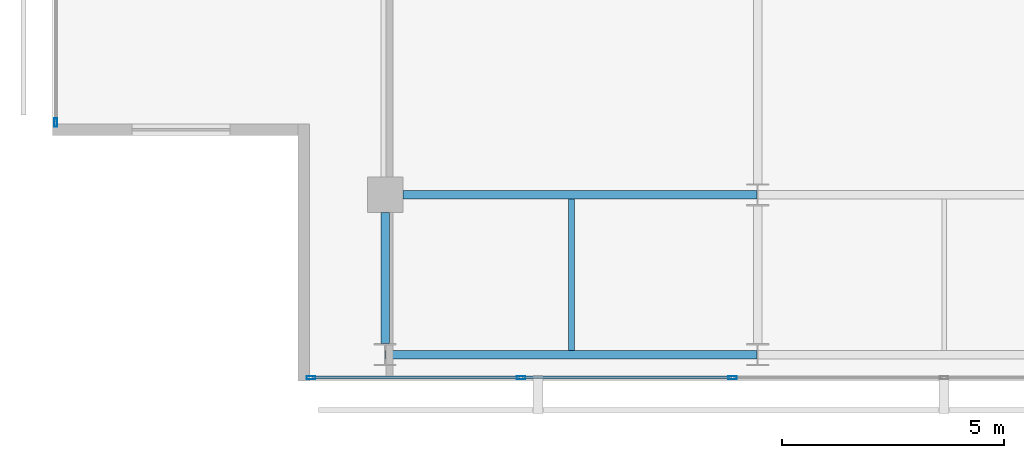
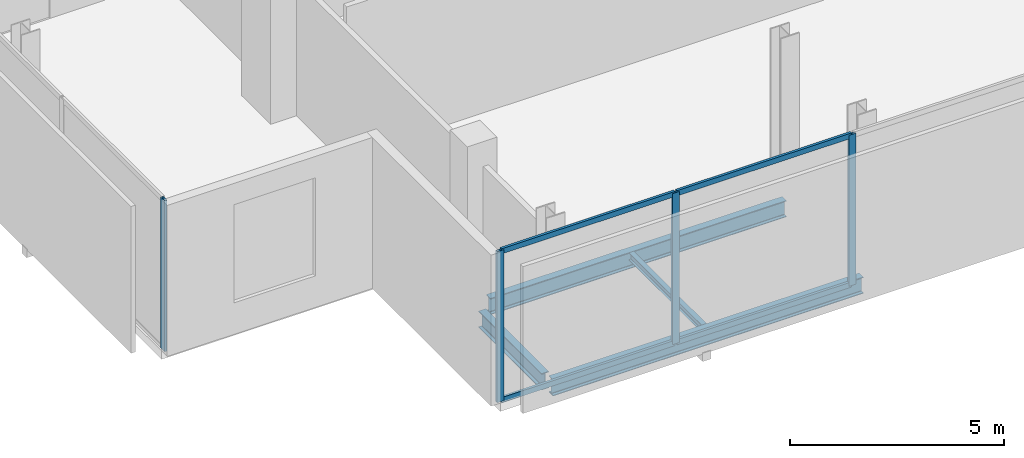
# One storey, part 2 of 23: 8 members, 4 beams, 2 elements without a shape of their own.
"""IFC4 building model written with IfcOpenShell, lengths in metres."""

from ifc_helpers import new_model, si_unit, direction, frame, origin, origin_2d, place, context, subcontext, project, spatial, hollow_rectangle, i_section, extrude, material, layer, layer_set, material_profile, profile_set, type_object, element, aggregate, save


model = new_model("IFC4")

# Units and contexts
model_context = context("Model", 3, precision=1e-05, world=origin(), true_north=direction((0.0, 1.0)))
body_context = subcontext(model_context, "Body", "Model", "MODEL_VIEW")
ifc_project = project(units=[si_unit("LENGTHUNIT", "METRE"), si_unit("AREAUNIT", "SQUARE_METRE"), si_unit("VOLUMEUNIT", "CUBIC_METRE"), si_unit("PLANEANGLEUNIT", "RADIAN"), si_unit("MASSUNIT", "GRAM", prefix="KILO")], contexts=[model_context])

# Site, building, storey
site_placement = place(None, origin())
site = spatial("IfcSite", under=ifc_project, at=site_placement, CompositionType="ELEMENT")
building_placement = place(site_placement, origin())
building = spatial("IfcBuilding", under=site, at=building_placement, Name="Maruvema Waterfront Hotel and Observation Tower", CompositionType="ELEMENT")
storey_placement = place(building_placement, frame((0.0, 0.0, 345.10009765625)))
storey = spatial("IfcBuildingStorey", under=building, at=storey_placement, Name="L85", CompositionType="ELEMENT", Elevation=345.10009765625)

# Curtain wall, members
ifc_material_1 = material(Name="Anodised bronze aluminium and solar-control low-E IGU", Category="aluminium")
ifc_layer = layer(ifc_material_1, 0.159912109375, Name="Observation Crown Structural Glazed Curtain Wall System CW-06")
ifc_layer_set = layer_set([ifc_layer], Name="Anodised bronze aluminium and solar-control low-E IGU")
curtain_wall_type = type_object("IfcCurtainWallType", Name="Observation Crown Structural Glazed Curtain Wall System CW-06", PredefinedType="USERDEFINED", material=ifc_layer_set)
curtain_wall_1_placement = place(storey_placement, origin())
curtain_wall_1 = element("IfcCurtainWall", 1, at=curtain_wall_1_placement, inside=storey, type_object=curtain_wall_type, Name="L85 Curtain Wall CW-L85-S", ObjectType="UNITISED CURTAIN WALL", PredefinedType="USERDEFINED")
ifc_material_2 = material(Name="Anodised architectural bronze aluminium", Category="aluminium")
ifc_material_profile_1 = material_profile(ifc_material_2, hollow_rectangle(XDim=0.070068359375, YDim=0.14990234375, WallThickness=0.00390625, at=origin_2d()), Name="ALU-T70x150")
ifc_profile_set_1 = profile_set([ifc_material_profile_1], Name="Anodised architectural bronze aluminium")
member_type_1 = type_object("IfcMemberType", Name="Curtain Wall Horizontal Transom ALU-T70x150", PredefinedType="USERDEFINED", material=ifc_profile_set_1)
member_1_placement = place(storey_placement, frame((23.56005859375, 13.8798828125, 0.02978515625), z_axis=(1.0, 0.0, 0.0), x_axis=(0.0, 1.0, 0.0)))
member_1 = element("IfcMember", 2, at=member_1_placement, type_object=member_type_1, Name="CW-06 transom 1.1", ObjectType="TRANSOM", PredefinedType="USERDEFINED", context=body_context, shape_type="SweptSolid", body=[
    extrude(hollow_rectangle(XDim=0.070068359375, YDim=0.14990234375, WallThickness=0.00390625, at=origin_2d()), origin(), (0.0, 0.0, 1.0), 4.676513671875),
])
member_2_placement = place(storey_placement, frame((23.56005859375, 13.8798828125, 4.27978515625), z_axis=(1.0, 0.0, 0.0), x_axis=(0.0, 1.0, 0.0)))
member_2 = element("IfcMember", 3, at=member_2_placement, type_object=member_type_1, Name="CW-06 transom 1.2", ObjectType="TRANSOM", PredefinedType="USERDEFINED", context=body_context, shape_type="SweptSolid", body=[
    extrude(hollow_rectangle(XDim=0.070068359375, YDim=0.14990234375, WallThickness=0.00390625, at=origin_2d()), origin(), (0.0, 0.0, 1.0), 4.676513671875),
])
member_3_placement = place(storey_placement, frame((28.296630859375, 13.8798828125, 0.02978515625), z_axis=(1.0, 0.0, 0.0), x_axis=(0.0, 1.0, 0.0)))
member_3 = element("IfcMember", 4, at=member_3_placement, type_object=member_type_1, Name="CW-06 transom 2.1", ObjectType="TRANSOM", PredefinedType="USERDEFINED", context=body_context, shape_type="SweptSolid", body=[
    extrude(hollow_rectangle(XDim=0.070068359375, YDim=0.14990234375, WallThickness=0.00390625, at=origin_2d()), origin(), (0.0, 0.0, 1.0), 4.706787109375),
])
member_4_placement = place(storey_placement, frame((28.296630859375, 13.8798828125, 4.27978515625), z_axis=(1.0, 0.0, 0.0), x_axis=(0.0, 1.0, 0.0)))
member_4 = element("IfcMember", 5, at=member_4_placement, type_object=member_type_1, Name="CW-06 transom 2.2", ObjectType="TRANSOM", PredefinedType="USERDEFINED", context=body_context, shape_type="SweptSolid", body=[
    extrude(hollow_rectangle(XDim=0.070068359375, YDim=0.14990234375, WallThickness=0.00390625, at=origin_2d()), origin(), (0.0, 0.0, 1.0), 4.706787109375),
])
ifc_material_3 = material(Name="Anodised architectural bronze aluminium", Category="aluminium")
ifc_material_profile_2 = material_profile(ifc_material_3, hollow_rectangle(XDim=0.070068359375, YDim=0.18994140625, WallThickness=0.00390625, at=origin_2d()), Name="ALU-M70x190")
ifc_profile_set_2 = profile_set([ifc_material_profile_2], Name="Anodised architectural bronze aluminium")
member_type_2 = type_object("IfcMemberType", Name="Podium Storefront Heavy Mullion ALU-M70x190", PredefinedType="MULLION", material=ifc_profile_set_2)
member_5_placement = place(storey_placement, frame((23.530029296875, 13.8798828125, 0.0), z_axis=(0.0, 0.0, 1.0), x_axis=(0.0, 1.0, 0.0)))
member_5 = element("IfcMember", 6, at=member_5_placement, type_object=member_type_2, Name="CW-06 mullion 1", PredefinedType="MULLION", context=body_context, shape_type="SweptSolid", body=[
    extrude(hollow_rectangle(XDim=0.070068359375, YDim=0.18994140625, WallThickness=0.00390625, at=origin_2d()), origin(), (0.0, 0.0, 1.0), 4.309814453125),
])
member_6_placement = place(storey_placement, frame((28.2666015625, 13.8798828125, 0.0), z_axis=(0.0, 0.0, 1.0), x_axis=(0.0, 1.0, 0.0)))
member_6 = element("IfcMember", 7, at=member_6_placement, type_object=member_type_2, Name="CW-06 mullion 2", PredefinedType="MULLION", context=body_context, shape_type="SweptSolid", body=[
    extrude(hollow_rectangle(XDim=0.070068359375, YDim=0.18994140625, WallThickness=0.00390625, at=origin_2d()), origin(), (0.0, 0.0, 1.0), 4.309814453125),
])
member_7_placement = place(storey_placement, frame((33.033447265625, 13.8798828125, 0.0), z_axis=(0.0, 0.0, 1.0), x_axis=(0.0, 1.0, 0.0)))
member_7 = element("IfcMember", 8, at=member_7_placement, type_object=member_type_2, Name="CW-06 mullion 3", PredefinedType="MULLION", context=body_context, shape_type="SweptSolid", body=[
    extrude(hollow_rectangle(XDim=0.070068359375, YDim=0.18994140625, WallThickness=0.00390625, at=origin_2d()), origin(), (0.0, 0.0, 1.0), 4.309814453125),
])
aggregate(curtain_wall_1, [member_5, member_6, member_7, member_1, member_2, member_3, member_4])

# Curtain wall, member
curtain_wall_2_placement = place(storey_placement, origin())
curtain_wall_2 = element("IfcCurtainWall", 9, at=curtain_wall_2_placement, inside=storey, type_object=curtain_wall_type, Name="L85 Curtain Wall CW-L85-W", ObjectType="UNITISED CURTAIN WALL", PredefinedType="USERDEFINED")
member_8_placement = place(storey_placement, frame((17.780029296875, 19.6298828125, 0.0), z_axis=(0.0, 0.0, 1.0), x_axis=(1.0, 0.0, 0.0)))
member_8 = element("IfcMember", 10, at=member_8_placement, type_object=member_type_2, Name="CW-06 mullion 7", PredefinedType="MULLION", context=body_context, shape_type="SweptSolid", body=[
    extrude(hollow_rectangle(XDim=0.070068359375, YDim=0.18994140625, WallThickness=0.00390625, at=origin_2d()), origin(), (0.0, 0.0, 1.0), 4.309814453125),
])
aggregate(curtain_wall_2, [member_8])

# Beams
ifc_material_4 = material(Name="Steel ASTM A572 Grade 50", Category="steel")
ifc_material_profile_3 = material_profile(ifc_material_4, i_section(OverallWidth=0.194091796875, OverallDepth=0.468994140625, WebThickness=0.0126953125, FlangeThickness=0.0205078125, FilletRadius=0.014892578125, at=origin_2d()), Name="W460x106.0")
ifc_profile_set_3 = profile_set([ifc_material_profile_3], Name="Steel ASTM A572 Grade 50")
beam_type_1 = type_object("IfcBeamType", Name="Primary Floor Girder W460x106.0", PredefinedType="BEAM", material=ifc_profile_set_3)
beam_1_placement = place(storey_placement, frame((25.2109375, 14.39990234375, -0.474609375), z_axis=(1.0, 0.0, 0.0), x_axis=(0.0, 1.0, 0.0)))
element("IfcBeam", 11, at=beam_1_placement, inside=storey, type_object=beam_type_1, Name="L85 Floor Girder EW-01", PredefinedType="BEAM", context=body_context, shape_type="SweptSolid", body=[
    extrude(i_section(OverallWidth=0.194091796875, OverallDepth=0.468994140625, WebThickness=0.0126953125, FlangeThickness=0.0205078125, FilletRadius=0.014892578125, at=origin_2d()), origin(), (0.0, 0.0, 1.0), 8.378173828125),
])
beam_2_placement = place(storey_placement, frame((25.60009765625, 18.0, -0.474609375), z_axis=(1.0, 0.0, 0.0), x_axis=(0.0, 1.0, 0.0)))
element("IfcBeam", 12, at=beam_2_placement, inside=storey, type_object=beam_type_1, Name="L85 Floor Girder EW-04", PredefinedType="BEAM", context=body_context, shape_type="SweptSolid", body=[
    extrude(i_section(OverallWidth=0.194091796875, OverallDepth=0.468994140625, WebThickness=0.0126953125, FlangeThickness=0.0205078125, FilletRadius=0.014892578125, at=origin_2d()), origin(), (0.0, 0.0, 1.0), 7.989013671875),
])
beam_3_placement = place(storey_placement, frame((25.199951171875, 14.64990234375, -0.474609375), z_axis=(0.0, 1.0, 0.0), x_axis=(-1.0, 0.0, 0.0)))
element("IfcBeam", 13, at=beam_3_placement, inside=storey, type_object=beam_type_1, Name="L85 Floor Girder NS-03", PredefinedType="BEAM", context=body_context, shape_type="SweptSolid", body=[
    extrude(i_section(OverallWidth=0.194091796875, OverallDepth=0.468994140625, WebThickness=0.0126953125, FlangeThickness=0.0205078125, FilletRadius=0.014892578125, at=origin_2d()), origin(), (0.0, 0.0, 1.0), 2.9501953125),
])
ifc_material_5 = material(Name="Steel ASTM A572 Grade 50", Category="steel")
ifc_material_profile_4 = material_profile(ifc_material_5, i_section(OverallWidth=0.133056640625, OverallDepth=0.20703125, WebThickness=0.005859375, FlangeThickness=0.00830078125, FilletRadius=0.010009765625, at=origin_2d()), Name="W200x26.6")
ifc_profile_set_4 = profile_set([ifc_material_profile_4], Name="Steel ASTM A572 Grade 50")
beam_type_2 = type_object("IfcBeamType", Name="Secondary Floor Joist W200x26.6", PredefinedType="JOIST", material=ifc_profile_set_4)
beam_4_placement = place(storey_placement, frame((29.39990234375, 14.4970703125, -0.343505859375), z_axis=(0.0, 1.0, 0.0), x_axis=(-1.0, 0.0, 0.0)))
element("IfcBeam", 14, at=beam_4_placement, inside=storey, type_object=beam_type_2, Name="L85 Secondary Floor Joist JS-03", PredefinedType="JOIST", context=body_context, shape_type="SweptSolid", body=[
    extrude(i_section(OverallWidth=0.133056640625, OverallDepth=0.20703125, WebThickness=0.005859375, FlangeThickness=0.00830078125, FilletRadius=0.010009765625, at=origin_2d()), origin(), (0.0, 0.0, 1.0), 3.406005859375),
])

save(model, "model.ifc")
